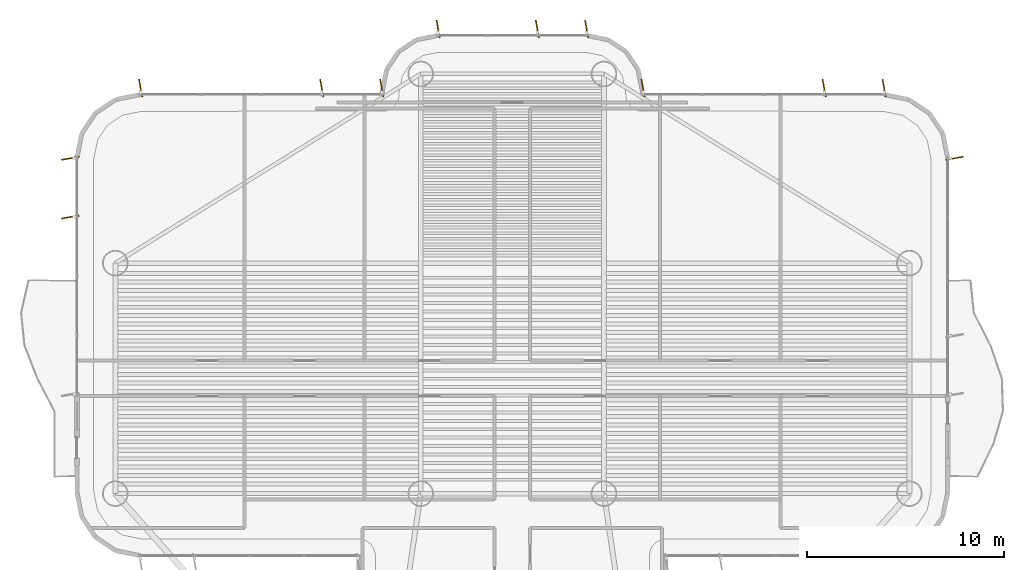
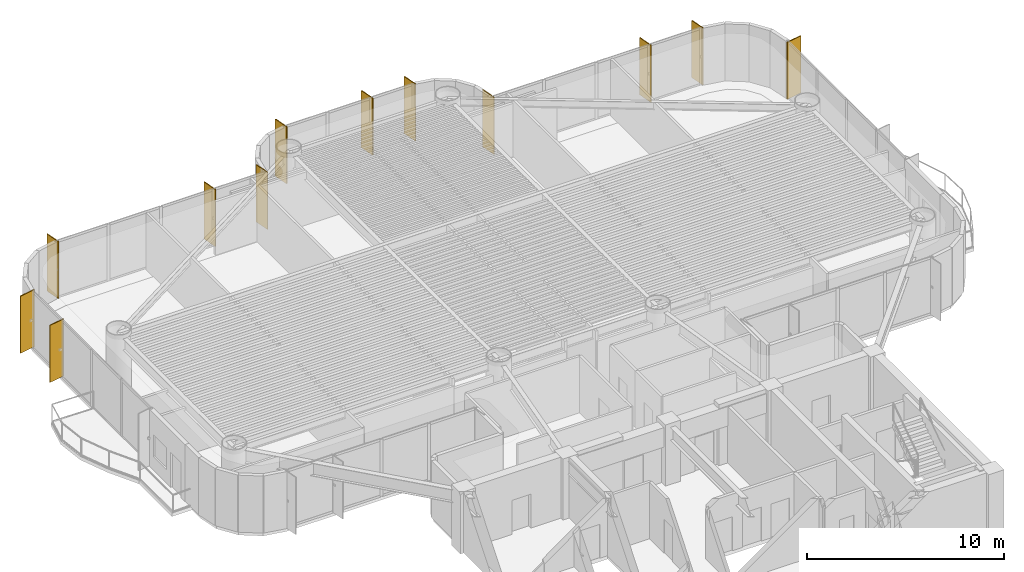
# One storey, part 16 of 16: 12 shading devices.
"""IFC4 building model written with IfcOpenShell, lengths in metres."""

from ifc_helpers import new_model, si_unit, direction, frame, origin, origin_2d, place, context, subcontext, project, spatial, rectangle, extrude, source, transform, mapped, material, material_profile, profile_set, type_object, element, save


model = new_model("IFC4")

# Units and contexts
model_context = context("Model", 3, precision=1e-05, world=origin(), true_north=direction((0.0, 1.0)))
body_context = subcontext(model_context, "Body", "Model", "MODEL_VIEW")
ifc_project = project(units=[si_unit("LENGTHUNIT", "METRE"), si_unit("AREAUNIT", "SQUARE_METRE"), si_unit("VOLUMEUNIT", "CUBIC_METRE"), si_unit("PLANEANGLEUNIT", "RADIAN"), si_unit("MASSUNIT", "GRAM", prefix="KILO")], contexts=[model_context])

# Site, building, storey
site_placement = place(None, origin())
site = spatial("IfcSite", under=ifc_project, at=site_placement, CompositionType="ELEMENT")
building_placement = place(site_placement, origin())
building = spatial("IfcBuilding", under=site, at=building_placement, Name="Brelvock Crest Care Tower", CompositionType="ELEMENT")
storey_placement = place(building_placement, frame((0.0, 0.0, 112.5)))
storey = spatial("IfcBuildingStorey", under=building, at=storey_placement, Name="L28", CompositionType="ELEMENT", Elevation=112.5)

# Shading devices
ifc_material = material(Name="Aluminium 6063-T6", Category="aluminium")
ifc_material_profile = material_profile(ifc_material, rectangle(XDim=0.054931640625, YDim=0.89990234375, at=origin_2d()), Name="FIN55x900")
ifc_profile_set = profile_set([ifc_material_profile], Name="Aluminium 6063-T6")
shading_device_type = type_object("IfcShadingDeviceType", Name="SHD-FIN1", PredefinedType="USERDEFINED", material=ifc_profile_set)
shared_shape = source(origin(), body_context, "Body", "SweptSolid", [
    extrude(rectangle(XDim=0.054931640625, YDim=0.89990234375, at=origin_2d()), origin(), (0.0, 0.0, 1.0), 3.530029296875),
])
for number, where, z_axis, x_axis, name in (
    (1, (13.56005859375, 41.1875, 0.0), (0.0, 0.0, 1.0), (-0.173648177667, 0.984807753012, 0.0), "L28 Vertical Sunshade Fin E17B-04"),
    (2, (13.56005859375, 44.169921875, 0.0), (0.0, 0.0, 1.0), (-0.173648177667, 0.984807753012, 0.0), "L28 Vertical Sunshade Fin E17B-05"),
    (3, (17.1298828125, 47.739990234375, 0.0), (0.0, 0.0, 1.0), (0.984807753012, 0.173648177667, 0.0), "L28 Vertical Sunshade Fin E22-01"),
    (4, (26.324951171875, 47.739990234375, 0.0), (0.0, 0.0, 1.0), (0.984807753012, 0.173648177667, 0.0), "L28 Vertical Sunshade Fin E22-04"),
    (5, (29.3701171875, 47.739990234375, 0.0), (0.0, 0.0, 1.0), (0.984807753012, 0.173648177667, 0.0), "L28 Vertical Sunshade Fin E22-05"),
    (6, (32.22998046875, 50.739990234375, 0.0), (0.0, 0.0, 1.0), (0.984807753012, 0.173648177667, 0.0), "L28 Vertical Sunshade Fin E28-01"),
    (7, (37.2666015625, 50.739990234375, 0.0), (0.0, 0.0, 1.0), (0.984807753012, 0.173648177667, 0.0), "L28 Vertical Sunshade Fin E28-03"),
    (8, (39.77001953125, 50.739990234375, 0.0), (0.0, 0.0, 1.0), (0.984807753012, 0.173648177667, 0.0), "L28 Vertical Sunshade Fin E28-04"),
    (9, (42.6298828125, 47.739990234375, 0.0), (0.0, 0.0, 1.0), (0.984807753012, 0.173648177667, 0.0), "L28 Vertical Sunshade Fin E34-01"),
    (10, (51.824951171875, 47.739990234375, 0.0), (0.0, 0.0, 1.0), (0.984807753012, 0.173648177667, 0.0), "L28 Vertical Sunshade Fin E34-04"),
    (11, (54.8701171875, 47.739990234375, 0.0), (0.0, 0.0, 1.0), (0.984807753012, 0.173648177667, 0.0), "L28 Vertical Sunshade Fin E34-05"),
    (12, (58.43994140625, 44.169921875, 0.0), (0.0, 0.0, 1.0), (0.173648177667, -0.984807753012, 0.0), "L28 Vertical Sunshade Fin E39A-01"),
):
    element("IfcShadingDevice", number, at=place(storey_placement, frame(where, z_axis=z_axis, x_axis=x_axis)), inside=storey, type_object=shading_device_type, Name=name, ObjectType="FIN", PredefinedType="USERDEFINED", context=body_context, shape_type="MappedRepresentation", body=[
        mapped(shared_shape, transform((0.0, 0.0, 0.0), x_axis=(1.0, 0.0, 0.0), y_axis=(0.0, 1.0, 0.0), z_axis=(0.0, 0.0, 1.0), scale=1.0)),
    ])

save(model, "model.ifc")
